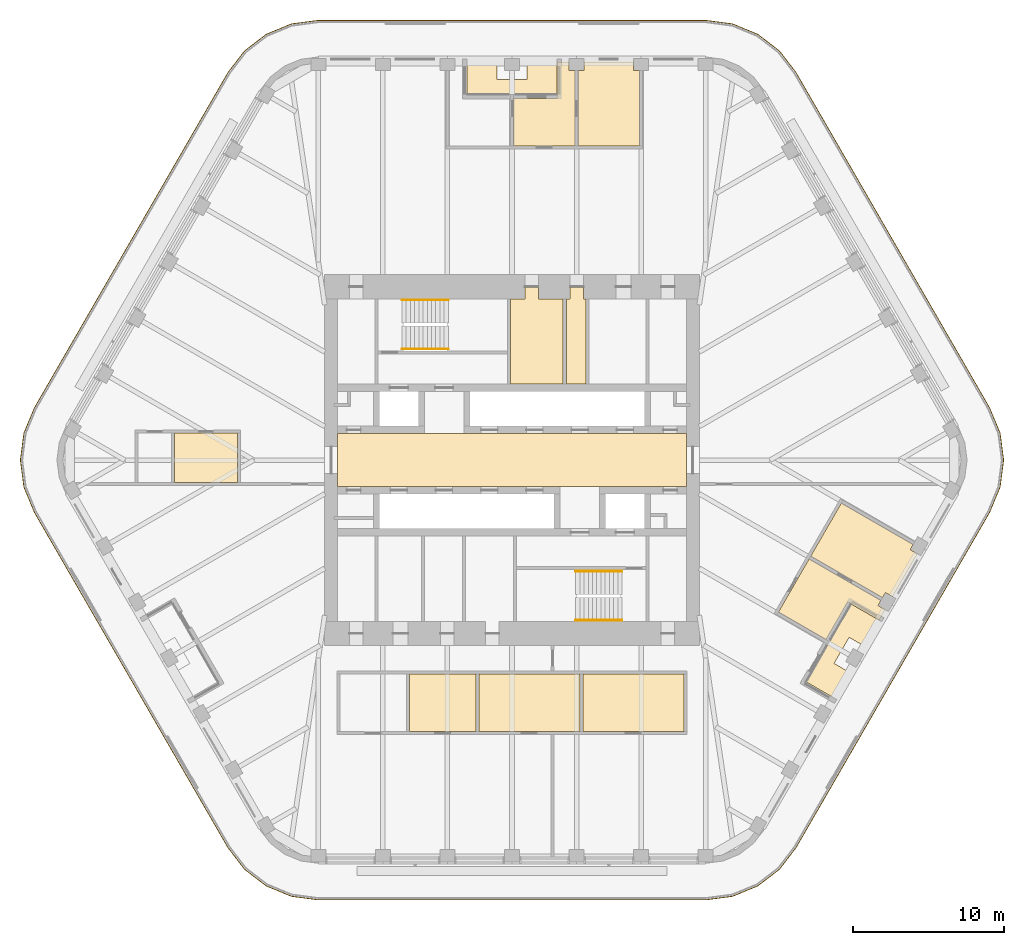
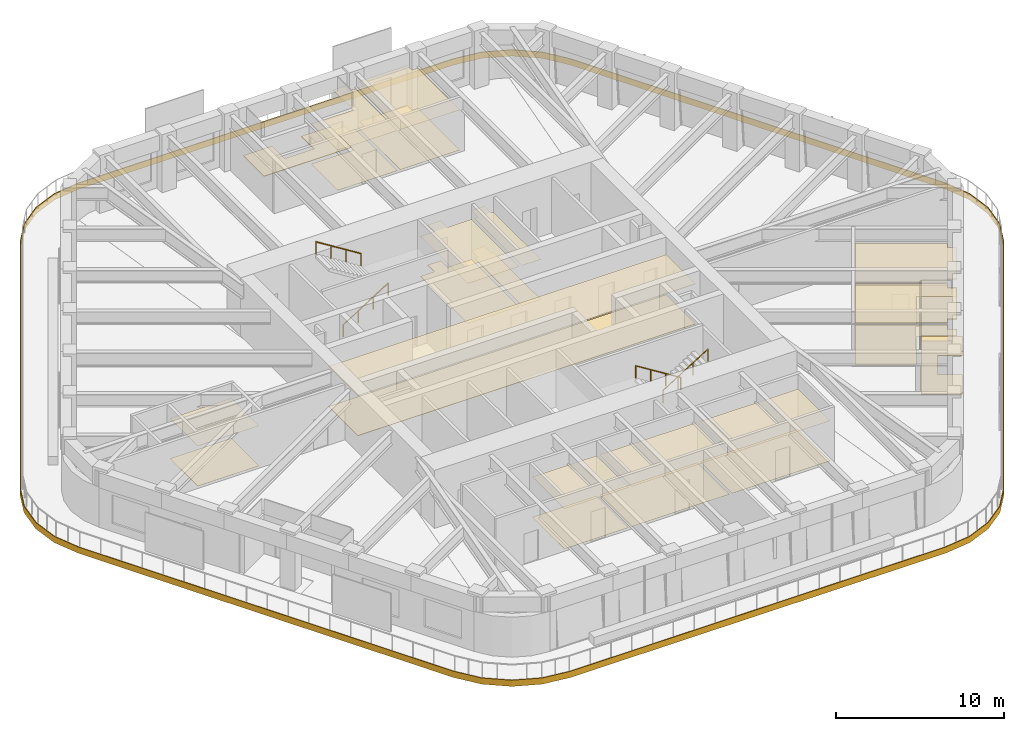
# One storey, part 18 of 19: 11 coverings, 4 railings.
"""IFC4 building model written with IfcOpenShell, lengths in metres."""

from ifc_helpers import new_model, si_unit, direction, frame, origin, origin_2d, place, context, subcontext, project, spatial, polyline, circle, outline, extrude, material, layer, layer_set, type_object, element, save


model = new_model("IFC4")

# Units and contexts
model_context = context("Model", 3, precision=1e-05, world=origin(), true_north=direction((0.0, 1.0)))
body_context = subcontext(model_context, "Body", "Model", "MODEL_VIEW")
ifc_project = project(units=[si_unit("LENGTHUNIT", "METRE"), si_unit("AREAUNIT", "SQUARE_METRE"), si_unit("VOLUMEUNIT", "CUBIC_METRE"), si_unit("PLANEANGLEUNIT", "RADIAN"), si_unit("MASSUNIT", "GRAM", prefix="KILO")], contexts=[model_context])

# Site, building, storey
site_placement = place(None, origin())
site = spatial("IfcSite", under=ifc_project, at=site_placement, CompositionType="ELEMENT")
building_placement = place(site_placement, origin())
building = spatial("IfcBuilding", under=site, at=building_placement, Name="Tarfa Lantern Tower", CompositionType="ELEMENT")
storey_placement = place(building_placement, frame((0.0, 0.0, 336.699951171875)))
storey = spatial("IfcBuildingStorey", under=building, at=storey_placement, Name="L76", CompositionType="ELEMENT", Elevation=336.699951171875)

# Coverings
ifc_material_1 = material(Name="Mineral fibre acoustic tile on suspension grid", Category="finish")
ifc_layer_1 = layer(ifc_material_1, 0.02001953125)
ifc_layer_set_1 = layer_set([ifc_layer_1], Name="CL1 ACOUSTIC TILE CEILING 20")
covering_type_1 = type_object("IfcCoveringType", Name="CL1 ACOUSTIC TILE CEILING 20", PredefinedType="CEILING", material=ifc_layer_set_1)
covering_1_placement = place(storey_placement, frame((0.0, 0.0, 2.900146484375)))
element("IfcCovering", 1, at=covering_1_placement, inside=storey, type_object=covering_type_1, Name="Ceiling L76 CL1", PredefinedType="CEILING", context=body_context, shape_type="SweptSolid", body=[
    extrude(outline(polyline([(-2.199951171875, -14.199951171875), (4.5, -14.199951171875), (4.5, -18.0), (-2.199951171875, -18.0), (-2.199951171875, -14.199951171875)])), origin(), (0.0, 0.0, 1.0), 0.02001953125),
    extrude(outline(polyline([(-6.800048828125, -14.199951171875), (-2.39990234375, -14.199951171875), (-2.39990234375, -18.0), (-6.800048828125, -18.0), (-6.800048828125, -14.199951171875)])), origin(), (0.0, 0.0, 1.0), 0.02001953125),
    extrude(outline(polyline([(4.18212890625, 20.85009765625), (0.10009765625, 20.85009765625), (0.10009765625, 24.0), (2.98193359375, 24.0), (2.98193359375, 26.39990234375), (3.781982421875, 26.39990234375), (3.781982421875, 25.85009765625), (4.18212890625, 25.85009765625), (4.18212890625, 20.85009765625)])), origin(), (0.0, 0.0, 1.0), 0.02001953125),
    extrude(outline(polyline([(19.714599609375, -6.55322265625), (24.477783203125, -9.30322265625), (24.27783203125, -9.649658203125), (24.754150390625, -9.924560546875), (24.35400390625, -10.617431640625), (22.275634765625, -9.41748046875), (20.834716796875, -11.913330078125), (17.673583984375, -10.08837890625), (19.714599609375, -6.55322265625)])), origin(), (0.0, 0.0, 1.0), 0.02001953125),
    extrude(outline(polyline([(-22.400146484375, 1.800048828125), (-18.2001953125, 1.800048828125), (-18.2001953125, -1.5), (-22.400146484375, -1.5), (-22.400146484375, 1.800048828125)])), origin(), (0.0, 0.0, 1.0), 0.02001953125),
    extrude(outline(polyline([(4.699951171875, -14.199951171875), (11.39990234375, -14.199951171875), (11.39990234375, -18.0), (4.699951171875, -18.0), (4.699951171875, -14.199951171875)])), origin(), (0.0, 0.0, 1.0), 0.02001953125),
    extrude(outline(polyline([(8.464111328125, 20.85009765625), (4.382080078125, 20.85009765625), (4.382080078125, 25.85009765625), (4.781982421875, 25.85009765625), (4.781982421875, 26.39990234375), (8.06396484375, 26.39990234375), (8.06396484375, 25.85009765625), (8.464111328125, 25.85009765625), (8.464111328125, 20.85009765625)])), origin(), (0.0, 0.0, 1.0), 0.02001953125),
    extrude(outline(polyline([(21.855712890625, -2.844970703125), (26.61865234375, -5.594970703125), (26.418701171875, -5.94140625), (26.89501953125, -6.21630859375), (25.254150390625, -9.05859375), (24.77783203125, -8.78369140625), (24.577880859375, -9.130126953125), (19.814697265625, -6.380126953125), (21.855712890625, -2.844970703125)])), origin(), (0.0, 0.0, 1.0), 0.02001953125),
])
ifc_material_2 = material(Name="Moisture-resistant plasterboard", Category="finish")
ifc_layer_2 = layer(ifc_material_2, 0.014892578125)
ifc_layer_set_2 = layer_set([ifc_layer_2], Name="CL2 MOISTURE-RESISTANT PLASTERBOARD CEILING 15")
covering_type_2 = type_object("IfcCoveringType", Name="CL2 MOISTURE-RESISTANT PLASTERBOARD CEILING 15", PredefinedType="CEILING", material=ifc_layer_set_2)
covering_2_placement = place(storey_placement, frame((0.0, 0.0, 2.900146484375)))
element("IfcCovering", 2, at=covering_2_placement, inside=storey, type_object=covering_type_2, Name="Ceiling L76-05", PredefinedType="CEILING", context=body_context, shape_type="SweptSolid", body=[
    extrude(outline(polyline([(0.85009765625, 10.699951171875), (-0.10009765625, 10.699951171875), (-0.10009765625, 5.050048828125), (3.39990234375, 5.050048828125), (3.39990234375, 10.699951171875), (1.75, 10.699951171875), (1.75, 11.5), (0.85009765625, 11.5), (0.85009765625, 11.5), (0.85009765625, 10.699951171875)])), origin(), (0.0, 0.0, 1.0), 0.014892578125),
])
covering_3_placement = place(storey_placement, frame((0.0, 0.0, 2.900146484375)))
element("IfcCovering", 3, at=covering_3_placement, inside=storey, type_object=covering_type_2, Name="Ceiling L76-06", PredefinedType="CEILING", context=body_context, shape_type="SweptSolid", body=[
    extrude(outline(polyline([(3.60009765625, 5.050048828125), (4.89990234375, 5.050048828125), (4.89990234375, 10.699951171875), (4.75, 10.699951171875), (4.75, 11.5), (3.85009765625, 11.5), (3.85009765625, 10.699951171875), (3.60009765625, 10.699951171875), (3.60009765625, 5.050048828125)])), origin(), (0.0, 0.0, 1.0), 0.014892578125),
])
ifc_material_3 = material(Name="Powder-coated aluminium panel", Category="aluminium")
ifc_layer_3 = layer(ifc_material_3, 0.030029296875)
ifc_layer_set_3 = layer_set([ifc_layer_3], Name="CL3 METAL PANEL CEILING 30")
covering_type_3 = type_object("IfcCoveringType", Name="CL3 METAL PANEL CEILING 30", PredefinedType="CEILING", material=ifc_layer_set_3)
covering_4_placement = place(storey_placement, frame((0.0, 0.0, 2.900146484375)))
element("IfcCovering", 4, at=covering_4_placement, inside=storey, type_object=covering_type_3, Name="Ceiling L76-01", PredefinedType="CEILING", context=body_context, shape_type="SweptSolid", body=[
    extrude(outline(polyline([(-11.574951171875, -1.75), (11.574951171875, -1.75), (11.574951171875, 1.75), (-11.574951171875, 1.75), (-11.574951171875, -1.75)])), origin(), (0.0, 0.0, 1.0), 0.02978515625),
])
ifc_material_4 = material(Name="Nylon carpet tile", Category="finish")
ifc_layer_4 = layer(ifc_material_4, 0.010009765625)
ifc_layer_set_4 = layer_set([ifc_layer_4], Name="FL1 CARPET TILE 10")
covering_type_4 = type_object("IfcCoveringType", Name="FL1 CARPET TILE 10", PredefinedType="FLOORING", material=ifc_layer_set_4)
covering_5_placement = place(storey_placement, origin())
element("IfcCovering", 5, at=covering_5_placement, inside=storey, type_object=covering_type_4, Name="Floor finish L76 FL1", PredefinedType="FLOORING", context=body_context, shape_type="SweptSolid", body=[
    extrude(outline(polyline([(-2.199951171875, -14.199951171875), (4.5, -14.199951171875), (4.5, -18.0), (-2.199951171875, -18.0), (-2.199951171875, -14.199951171875)])), origin(), (0.0, 0.0, 1.0), 0.010009765625),
    extrude(outline(polyline([(-6.800048828125, -14.199951171875), (-2.39990234375, -14.199951171875), (-2.39990234375, -18.0), (-6.800048828125, -18.0), (-6.800048828125, -14.199951171875)])), origin(), (0.0, 0.0, 1.0), 0.010009765625),
    extrude(outline(polyline([(4.18212890625, 20.85009765625), (0.10009765625, 20.85009765625), (0.10009765625, 24.0), (2.98193359375, 24.0), (2.98193359375, 26.39990234375), (3.781982421875, 26.39990234375), (3.781982421875, 25.85009765625), (4.18212890625, 25.85009765625), (4.18212890625, 20.85009765625)])), origin(), (0.0, 0.0, 1.0), 0.010009765625),
    extrude(outline(polyline([(19.714599609375, -6.55322265625), (24.477783203125, -9.30322265625), (24.27783203125, -9.649658203125), (24.754150390625, -9.924560546875), (24.35400390625, -10.617431640625), (22.275634765625, -9.41748046875), (20.834716796875, -11.913330078125), (17.673583984375, -10.08837890625), (19.714599609375, -6.55322265625)])), origin(), (0.0, 0.0, 1.0), 0.010009765625),
    extrude(outline(polyline([(-22.400146484375, 1.800048828125), (-18.2001953125, 1.800048828125), (-18.2001953125, -1.5), (-22.400146484375, -1.5), (-22.400146484375, 1.800048828125)])), origin(), (0.0, 0.0, 1.0), 0.010009765625),
    extrude(outline(polyline([(4.699951171875, -14.199951171875), (11.39990234375, -14.199951171875), (11.39990234375, -18.0), (4.699951171875, -18.0), (4.699951171875, -14.199951171875)])), origin(), (0.0, 0.0, 1.0), 0.010009765625),
    extrude(outline(polyline([(8.464111328125, 20.85009765625), (4.382080078125, 20.85009765625), (4.382080078125, 25.85009765625), (4.781982421875, 25.85009765625), (4.781982421875, 26.39990234375), (8.06396484375, 26.39990234375), (8.06396484375, 25.85009765625), (8.464111328125, 25.85009765625), (8.464111328125, 20.85009765625)])), origin(), (0.0, 0.0, 1.0), 0.010009765625),
    extrude(outline(polyline([(21.855712890625, -2.844970703125), (26.61865234375, -5.594970703125), (26.418701171875, -5.94140625), (26.89501953125, -6.21630859375), (25.254150390625, -9.05859375), (24.77783203125, -8.78369140625), (24.577880859375, -9.130126953125), (19.814697265625, -6.380126953125), (21.855712890625, -2.844970703125)])), origin(), (0.0, 0.0, 1.0), 0.010009765625),
])
ifc_material_5 = material(Name="Honed limestone flooring", Category="masonry")
ifc_layer_5 = layer(ifc_material_5, 0.030029296875)
ifc_layer_set_5 = layer_set([ifc_layer_5], Name="FL2 STONE FLOORING 30")
covering_type_5 = type_object("IfcCoveringType", Name="FL2 STONE FLOORING 30", PredefinedType="FLOORING", material=ifc_layer_set_5)
covering_6_placement = place(storey_placement, origin())
element("IfcCovering", 6, at=covering_6_placement, inside=storey, type_object=covering_type_5, Name="Floor finish L76-01", PredefinedType="FLOORING", context=body_context, shape_type="SweptSolid", body=[
    extrude(outline(polyline([(-11.574951171875, -1.75), (11.574951171875, -1.75), (11.574951171875, 1.75), (-11.574951171875, 1.75), (-11.574951171875, -1.75)])), origin(), (0.0, 0.0, 1.0), 0.030029296875),
])
ifc_material_6 = material(Name="Porcelain floor tile", Category="finish")
ifc_layer_6 = layer(ifc_material_6, 0.011962890625)
ifc_layer_set_6 = layer_set([ifc_layer_6], Name="FL3 CERAMIC TILE 12")
covering_type_6 = type_object("IfcCoveringType", Name="FL3 CERAMIC TILE 12", PredefinedType="FLOORING", material=ifc_layer_set_6)
covering_7_placement = place(storey_placement, origin())
element("IfcCovering", 7, at=covering_7_placement, inside=storey, type_object=covering_type_6, Name="Floor finish L76-05", PredefinedType="FLOORING", context=body_context, shape_type="SweptSolid", body=[
    extrude(outline(polyline([(0.85009765625, 10.699951171875), (-0.10009765625, 10.699951171875), (-0.10009765625, 5.050048828125), (3.39990234375, 5.050048828125), (3.39990234375, 10.699951171875), (1.75, 10.699951171875), (1.75, 11.5), (0.85009765625, 11.5), (0.85009765625, 11.5), (0.85009765625, 10.699951171875)])), origin(), (0.0, 0.0, 1.0), 0.011962890625),
])
covering_8_placement = place(storey_placement, origin())
element("IfcCovering", 8, at=covering_8_placement, inside=storey, type_object=covering_type_6, Name="Floor finish L76-06", PredefinedType="FLOORING", context=body_context, shape_type="SweptSolid", body=[
    extrude(outline(polyline([(3.60009765625, 5.050048828125), (4.89990234375, 5.050048828125), (4.89990234375, 10.699951171875), (4.75, 10.699951171875), (4.75, 11.5), (3.85009765625, 11.5), (3.85009765625, 10.699951171875), (3.60009765625, 10.699951171875), (3.60009765625, 5.050048828125)])), origin(), (0.0, 0.0, 1.0), 0.011962890625),
])

# Railings
ifc_material_7 = material(Name="Stainless steel", Category="steel")
railing_type = type_object("IfcRailingType", Name="HR1 HANDRAIL 900", PredefinedType="HANDRAIL", material=ifc_material_7)
railing_1_placement = place(storey_placement, frame((-7.300048828125, 7.3798828125, 0.175048828125)))
element("IfcRailing", 9, at=railing_1_placement, inside=storey, type_object=railing_type, Name="Handrail 1", PredefinedType="HANDRAIL", context=body_context, shape_type="SweptSolid", body=[
    extrude(circle(Radius=0.02392578125, at=origin_2d()), frame((0.0, 0.0, 0.8759765625), z_axis=(0.847998304005, 0.0, 0.529998940003), x_axis=(0.0, 1.0, 0.0)), (0.0, 0.0, 1.0), 3.632080078125),
    extrude(circle(Radius=0.02099609375, at=origin_2d()), frame((0.0, 0.0, 0.0), z_axis=(0.0, 0.0, 1.0), x_axis=(0.0, 1.0, 0.0)), (0.0, 0.0, 1.0), 0.851806640625),
    extrude(circle(Radius=0.02099609375, at=origin_2d()), frame((1.026611328125, 0.0, 0.6416015625), z_axis=(0.0, 0.0, 1.0), x_axis=(0.0, 1.0, 0.0)), (0.0, 0.0, 1.0), 0.851806640625),
    extrude(circle(Radius=0.02099609375, at=origin_2d()), frame((2.053466796875, 0.0, 1.283447265625), z_axis=(0.0, 0.0, 1.0), x_axis=(0.0, 1.0, 0.0)), (0.0, 0.0, 1.0), 0.851806640625),
    extrude(circle(Radius=0.02099609375, at=origin_2d()), frame((3.080078125, 0.0, 1.925048828125), z_axis=(0.0, 0.0, 1.0), x_axis=(0.0, 1.0, 0.0)), (0.0, 0.0, 1.0), 0.851806640625),
])
railing_2_placement = place(storey_placement, frame((-4.219970703125, 10.6201171875, 2.275146484375)))
element("IfcRailing", 10, at=railing_2_placement, inside=storey, type_object=railing_type, Name="Handrail 2", PredefinedType="HANDRAIL", context=body_context, shape_type="SweptSolid", body=[
    extrude(circle(Radius=0.02392578125, at=origin_2d()), frame((0.0, 0.0, 0.8759765625), z_axis=(-0.848028513186, 0.0, 0.529950602248), x_axis=(0.0, -1.0, 0.0)), (0.0, 0.0, 1.0), 3.632080078125),
    extrude(circle(Radius=0.02099609375, at=origin_2d()), frame((0.0, 0.0, 0.0), z_axis=(0.0, 0.0, 1.0), x_axis=(0.0, -1.0, 0.0)), (0.0, 0.0, 1.0), 0.851806640625),
    extrude(circle(Radius=0.02099609375, at=origin_2d()), frame((-1.026611328125, 0.0, 0.6416015625), z_axis=(0.0, 0.0, 1.0), x_axis=(0.0, -1.0, 0.0)), (0.0, 0.0, 1.0), 0.851806640625),
    extrude(circle(Radius=0.02099609375, at=origin_2d()), frame((-2.053466796875, 0.0, 1.283203125), z_axis=(0.0, 0.0, 1.0), x_axis=(0.0, -1.0, 0.0)), (0.0, 0.0, 1.0), 0.851806640625),
    extrude(circle(Radius=0.02099609375, at=origin_2d()), frame((-3.080078125, 0.0, 1.9248046875), z_axis=(0.0, 0.0, 1.0), x_axis=(0.0, -1.0, 0.0)), (0.0, 0.0, 1.0), 0.851806640625),
])
railing_3_placement = place(storey_placement, frame((7.300048828125, -7.3798828125, 0.175048828125)))
element("IfcRailing", 11, at=railing_3_placement, inside=storey, type_object=railing_type, Name="Handrail 1", PredefinedType="HANDRAIL", context=body_context, shape_type="SweptSolid", body=[
    extrude(circle(Radius=0.02392578125, at=origin_2d()), frame((0.0, 0.0, 0.8759765625), z_axis=(-0.847998304005, 0.0, 0.529998940003), x_axis=(0.0, -1.0, 0.0)), (0.0, 0.0, 1.0), 3.632080078125),
    extrude(circle(Radius=0.02099609375, at=origin_2d()), frame((0.0, 0.0, 0.0), z_axis=(0.0, 0.0, 1.0), x_axis=(0.0, -1.0, 0.0)), (0.0, 0.0, 1.0), 0.851806640625),
    extrude(circle(Radius=0.02099609375, at=origin_2d()), frame((-1.026611328125, 0.0, 0.6416015625), z_axis=(0.0, 0.0, 1.0), x_axis=(0.0, -1.0, 0.0)), (0.0, 0.0, 1.0), 0.851806640625),
    extrude(circle(Radius=0.02099609375, at=origin_2d()), frame((-2.053466796875, 0.0, 1.283447265625), z_axis=(0.0, 0.0, 1.0), x_axis=(0.0, -1.0, 0.0)), (0.0, 0.0, 1.0), 0.851806640625),
    extrude(circle(Radius=0.02099609375, at=origin_2d()), frame((-3.080078125, 0.0, 1.925048828125), z_axis=(0.0, 0.0, 1.0), x_axis=(0.0, -1.0, 0.0)), (0.0, 0.0, 1.0), 0.851806640625),
])
railing_4_placement = place(storey_placement, frame((4.219970703125, -10.6201171875, 2.275146484375)))
element("IfcRailing", 12, at=railing_4_placement, inside=storey, type_object=railing_type, Name="Handrail 2", PredefinedType="HANDRAIL", context=body_context, shape_type="SweptSolid", body=[
    extrude(circle(Radius=0.02392578125, at=origin_2d()), frame((0.0, 0.0, 0.8759765625), z_axis=(0.848028513186, 0.0, 0.529950602248), x_axis=(0.0, 1.0, 0.0)), (0.0, 0.0, 1.0), 3.632080078125),
    extrude(circle(Radius=0.02099609375, at=origin_2d()), frame((0.0, 0.0, 0.0), z_axis=(0.0, 0.0, 1.0), x_axis=(0.0, 1.0, 0.0)), (0.0, 0.0, 1.0), 0.851806640625),
    extrude(circle(Radius=0.02099609375, at=origin_2d()), frame((1.026611328125, 0.0, 0.6416015625), z_axis=(0.0, 0.0, 1.0), x_axis=(0.0, 1.0, 0.0)), (0.0, 0.0, 1.0), 0.851806640625),
    extrude(circle(Radius=0.02099609375, at=origin_2d()), frame((2.053466796875, 0.0, 1.283203125), z_axis=(0.0, 0.0, 1.0), x_axis=(0.0, 1.0, 0.0)), (0.0, 0.0, 1.0), 0.851806640625),
    extrude(circle(Radius=0.02099609375, at=origin_2d()), frame((3.080078125, 0.0, 1.9248046875), z_axis=(0.0, 0.0, 1.0), x_axis=(0.0, 1.0, 0.0)), (0.0, 0.0, 1.0), 0.851806640625),
])

# Coverings
ifc_material_8 = material(Name="Porcelain pavers on pedestals", Category="ceramic")
ifc_layer_7 = layer(ifc_material_8, 0.0400390625)
ifc_layer_set_7 = layer_set([ifc_layer_7], Name="LP1 LOGGIA PAVING 40")
covering_type_7 = type_object("IfcCoveringType", Name="LP1 LOGGIA PAVING 40", PredefinedType="FLOORING", material=ifc_layer_set_7)
covering_9_placement = place(storey_placement, origin())
element("IfcCovering", 13, at=covering_9_placement, inside=storey, type_object=covering_type_7, Name="Terrace paving N", PredefinedType="FLOORING", context=body_context, shape_type="SweptSolid", body=[
    extrude(outline(polyline([(2.98193359375, 26.75), (2.98193359375, 24.27001953125), (-2.98193359375, 24.27001953125), (-2.98193359375, 26.75), (-1.0, 26.75), (-1.0, 25.25), (1.0, 25.25), (1.0, 26.75), (2.98193359375, 26.75)])), origin(), (0.0, 0.0, 1.0), 0.0400390625),
])
covering_10_placement = place(storey_placement, origin())
element("IfcCovering", 14, at=covering_10_placement, inside=storey, type_object=covering_type_7, Name="Terrace paving SE", PredefinedType="FLOORING", context=body_context, shape_type="SweptSolid", body=[
    extrude(outline(polyline([(21.67529296875, -15.95751953125), (19.52734375, -14.717529296875), (22.509521484375, -9.552490234375), (24.6572265625, -10.79248046875), (23.666259765625, -12.509033203125), (22.3671875, -11.759033203125), (21.3671875, -13.490966796875), (22.666259765625, -14.240966796875), (21.67529296875, -15.95751953125)])), origin(), (0.0, 0.0, 1.0), 0.0400390625),
])
ifc_material_9 = material(Name="Limestone cladding on brackets", Category="masonry")
ifc_layer_8 = layer(ifc_material_9, 0.050048828125)
ifc_layer_set_8 = layer_set([ifc_layer_8], Name="SB1 STONE BAND CLADDING 50")
covering_type_8 = type_object("IfcCoveringType", Name="SB1 STONE BAND CLADDING 50", PredefinedType="CLADDING", material=ifc_layer_set_8)
covering_11_placement = place(storey_placement, frame((0.0, 0.0, -0.39990234375)))
element("IfcCovering", 15, at=covering_11_placement, inside=storey, type_object=covering_type_8, Name="Stone band", PredefinedType="CLADDING", context=body_context, shape_type="SweptSolid", body=[
    extrude(outline(polyline([(31.7109375, 3.47509765625), (18.864990234375, 25.72509765625), (17.760498046875, 27.164306640625), (16.321044921875, 28.268798828125), (14.644775390625, 28.963134765625), (12.845947265625, 29.199951171875), (-12.845947265625, 29.199951171875), (-14.644775390625, 28.963134765625), (-16.321044921875, 28.268798828125), (-17.760498046875, 27.164306640625), (-18.864990234375, 25.72509765625), (-31.7109375, 3.47509765625), (-32.4052734375, 1.798828125), (-32.64208984375, 0.0), (-32.4052734375, -1.798828125), (-31.7109375, -3.47509765625), (-18.864990234375, -25.72509765625), (-17.760498046875, -27.164306640625), (-16.321044921875, -28.268798828125), (-14.644775390625, -28.963134765625), (-12.845947265625, -29.199951171875), (12.845947265625, -29.199951171875), (14.644775390625, -28.963134765625), (16.321044921875, -28.268798828125), (17.760498046875, -27.164306640625), (18.864990234375, -25.72509765625), (31.7109375, -3.47509765625), (32.4052734375, -1.798828125), (32.64208984375, 0.0), (32.4052734375, 1.798828125), (31.7109375, 3.47509765625)]), holes=[polyline([(31.667724609375, 3.449951171875), (18.821533203125, 25.699951171875), (17.72509765625, 27.129150390625), (16.296142578125, 28.2255859375), (14.6318359375, 28.914794921875), (12.845947265625, 29.14990234375), (-12.845947265625, 29.14990234375), (-14.6318359375, 28.914794921875), (-16.296142578125, 28.2255859375), (-17.72509765625, 27.129150390625), (-18.821533203125, 25.699951171875), (-31.667724609375, 3.449951171875), (-32.35693359375, 1.785888671875), (-32.592041015625, 0.0), (-32.35693359375, -1.785888671875), (-31.667724609375, -3.449951171875), (-18.821533203125, -25.699951171875), (-17.72509765625, -27.129150390625), (-16.296142578125, -28.2255859375), (-14.6318359375, -28.914794921875), (-12.845947265625, -29.14990234375), (12.845947265625, -29.14990234375), (14.6318359375, -28.914794921875), (16.296142578125, -28.2255859375), (17.72509765625, -27.129150390625), (18.821533203125, -25.699951171875), (31.667724609375, -3.449951171875), (32.35693359375, -1.785888671875), (32.592041015625, 0.0), (32.35693359375, 1.785888671875), (31.667724609375, 3.449951171875)])]), origin(), (0.0, 0.0, 1.0), 0.449951171875),
])

save(model, "model.ifc")
